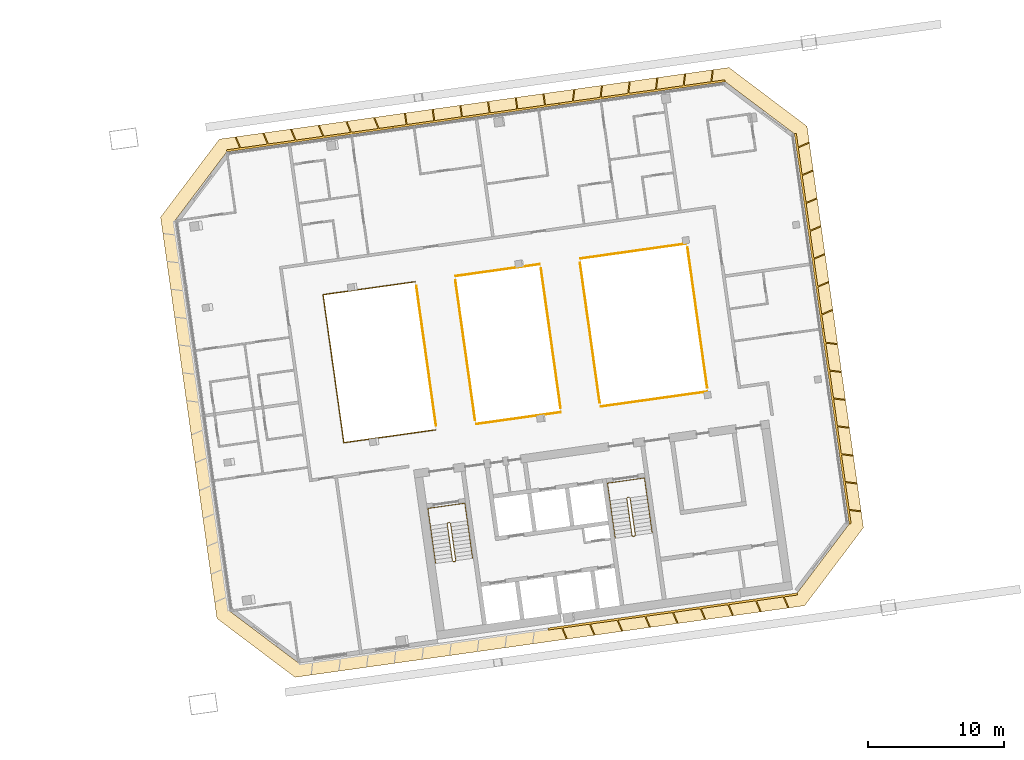
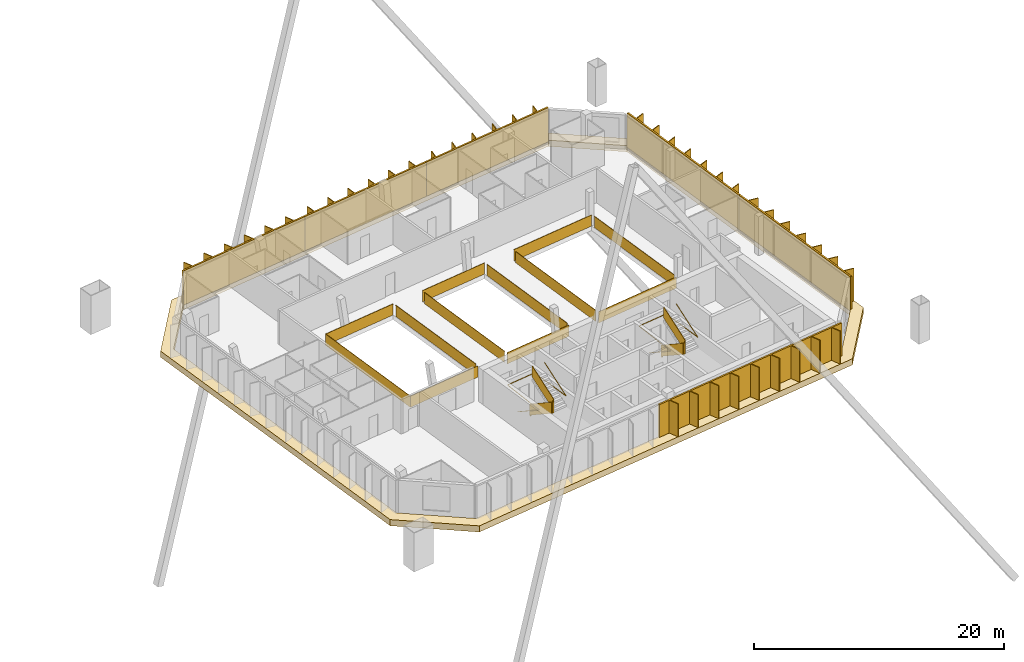
# One storey, part 28 of 28: 14 railings, 6 shading devices, 1 covering.
"""IFC4 building model written with IfcOpenShell, lengths in metres."""

from ifc_helpers import new_model, si_unit, direction, frame, origin, origin_2d, place, context, subcontext, project, spatial, polyline, rectangle, outline, extrude, material, layer, layer_set, type_object, element, save


model = new_model("IFC4")

# Units and contexts
model_context = context("Model", 3, precision=1e-05, world=origin(), true_north=direction((0.0, 1.0)))
body_context = subcontext(model_context, "Body", "Model", "MODEL_VIEW")
ifc_project = project(units=[si_unit("LENGTHUNIT", "METRE"), si_unit("AREAUNIT", "SQUARE_METRE"), si_unit("VOLUMEUNIT", "CUBIC_METRE"), si_unit("PLANEANGLEUNIT", "RADIAN"), si_unit("MASSUNIT", "GRAM", prefix="KILO")], contexts=[model_context])

# Site, building, storey
site_placement = place(None, origin())
site = spatial("IfcSite", under=ifc_project, at=site_placement, CompositionType="ELEMENT")
building_placement = place(site_placement, origin())
building = spatial("IfcBuilding", under=site, at=building_placement, Name="Mirante Cascada Hotel Towers", CompositionType="ELEMENT")
storey_placement = place(building_placement, frame((0.0, 0.0, 243.2)))
storey = spatial("IfcBuildingStorey", under=building, at=storey_placement, Name="L58", CompositionType="ELEMENT", Elevation=243.2)

# Railings
ifc_material_1 = material(Name="Toughened glass with stainless steel handrail", Category="steel")
railing_type_1 = type_object("IfcRailingType", Name="Atrium guard 1100 glass balustrade", PredefinedType="GUARDRAIL", material=ifc_material_1)
railing_1_placement = place(storey_placement, frame((35.7194, 6.4785, 0.0)))
element("IfcRailing", 1, at=railing_1_placement, inside=storey, type_object=railing_type_1, Name="GUARD 2-L58-1", PredefinedType="GUARDRAIL", context=body_context, shape_type="SweptSolid", body=[
    extrude(rectangle(XDim=0.048, YDim=0.048, at=origin_2d()), frame((0.0, 0.0, 1.076), z_axis=(-0.9902672, -0.1391789, 0.0), x_axis=(0.1391789, -0.9902672, 0.0)), (0.0, 0.0, 1.0), 6.8437),
    extrude(rectangle(XDim=0.02, YDim=1.052, at=origin_2d()), frame((0.0, 0.0, 0.526), z_axis=(-0.9902672, -0.1391789, 0.0), x_axis=(0.1391789, -0.9902672, 0.0)), (0.0, 0.0, 1.0), 6.8437),
    extrude(rectangle(XDim=0.048, YDim=0.048, at=origin_2d()), frame((-6.7771, -0.9525, 1.076), z_axis=(0.1391733, -0.990268, 0.0), x_axis=(0.990268, 0.1391733, 0.0)), (0.0, 0.0, 1.0), 11.0),
    extrude(rectangle(XDim=0.02, YDim=1.052, at=origin_2d()), frame((-6.7771, -0.9525, 0.526), z_axis=(0.1391733, -0.990268, 0.0), x_axis=(0.990268, 0.1391733, 0.0)), (0.0, 0.0, 1.0), 11.0),
    extrude(rectangle(XDim=0.048, YDim=0.048, at=origin_2d()), frame((-5.2462, -11.8454, 1.076), z_axis=(0.9902693, 0.1391646, 0.0), x_axis=(-0.1391646, 0.9902693, 0.0)), (0.0, 0.0, 1.0), 6.8437),
    extrude(rectangle(XDim=0.02, YDim=1.052, at=origin_2d()), frame((-5.2462, -11.8454, 0.526), z_axis=(0.9902693, 0.1391646, 0.0), x_axis=(-0.1391646, 0.9902693, 0.0)), (0.0, 0.0, 1.0), 6.8437),
])
railing_2_placement = place(storey_placement, frame((40.2211, -3.9969, 0.0)))
element("IfcRailing", 2, at=railing_2_placement, inside=storey, type_object=railing_type_1, Name="GUARD 2-L58-2", PredefinedType="GUARDRAIL", context=body_context, shape_type="SweptSolid", body=[
    extrude(rectangle(XDim=0.048, YDim=0.048, at=origin_2d()), frame((0.0, 0.0, 1.076), z_axis=(0.9902698, 0.1391609, 0.0), x_axis=(-0.1391609, 0.9902698, 0.0)), (0.0, 0.0, 1.0), 6.2625),
    extrude(rectangle(XDim=0.02, YDim=1.052, at=origin_2d()), frame((0.0, 0.0, 0.526), z_axis=(0.9902698, 0.1391609, 0.0), x_axis=(-0.1391609, 0.9902698, 0.0)), (0.0, 0.0, 1.0), 6.2625),
    extrude(rectangle(XDim=0.048, YDim=0.048, at=origin_2d()), frame((6.2016, 0.8715, 1.076), z_axis=(-1.0, 0.0, 0.0), x_axis=(0.0, -1.0, 0.0)), (0.0, 0.0, 1.0), 0.0001),
    extrude(rectangle(XDim=0.02, YDim=1.052, at=origin_2d()), frame((6.2016, 0.8715, 0.526), z_axis=(-1.0, 0.0, 0.0), x_axis=(0.0, -1.0, 0.0)), (0.0, 0.0, 1.0), 0.0001),
])
railing_3_placement = place(storey_placement, frame((44.8917, 7.7676, 0.0)))
element("IfcRailing", 3, at=railing_3_placement, inside=storey, type_object=railing_type_1, Name="GUARD 2-L58-3", PredefinedType="GUARDRAIL", context=body_context, shape_type="SweptSolid", body=[
    extrude(rectangle(XDim=0.048, YDim=0.048, at=origin_2d()), frame((0.0, 0.0, 1.076), z_axis=(1.0, 0.0, 0.0), x_axis=(0.0, 1.0, 0.0)), (0.0, 0.0, 1.0), 0.0001),
    extrude(rectangle(XDim=0.02, YDim=1.052, at=origin_2d()), frame((0.0, 0.0, 0.526), z_axis=(1.0, 0.0, 0.0), x_axis=(0.0, 1.0, 0.0)), (0.0, 0.0, 1.0), 0.0001),
    extrude(rectangle(XDim=0.048, YDim=0.048, at=origin_2d()), frame((0.0001, 0.0, 1.076), z_axis=(-0.9902676, -0.1391765, 0.0), x_axis=(0.1391765, -0.9902676, 0.0)), (0.0, 0.0, 1.0), 6.2625),
    extrude(rectangle(XDim=0.02, YDim=1.052, at=origin_2d()), frame((0.0001, 0.0, 0.526), z_axis=(-0.9902676, -0.1391765, 0.0), x_axis=(0.1391765, -0.9902676, 0.0)), (0.0, 0.0, 1.0), 6.2625),
])
railing_4_placement = place(storey_placement, frame((49.3935, -2.7078, 0.0)))
element("IfcRailing", 4, at=railing_4_placement, inside=storey, type_object=railing_type_1, Name="GUARD 2-L58-4", PredefinedType="GUARDRAIL", context=body_context, shape_type="SweptSolid", body=[
    extrude(rectangle(XDim=0.048, YDim=0.048, at=origin_2d()), frame((0.0, 0.0, 1.076), z_axis=(0.990268, 0.1391739, 0.0), x_axis=(-0.1391739, 0.990268, 0.0)), (0.0, 0.0, 1.0), 7.8937),
    extrude(rectangle(XDim=0.02, YDim=1.052, at=origin_2d()), frame((0.0, 0.0, 0.526), z_axis=(0.990268, 0.1391739, 0.0), x_axis=(-0.1391739, 0.990268, 0.0)), (0.0, 0.0, 1.0), 7.8937),
    extrude(rectangle(XDim=0.048, YDim=0.048, at=origin_2d()), frame((7.8169, 1.0986, 1.076), z_axis=(-0.9902369, -0.1393949, 0.0), x_axis=(0.1393949, -0.9902369, 0.0)), (0.0, 0.0, 1.0), 0.1313),
    extrude(rectangle(XDim=0.02, YDim=1.052, at=origin_2d()), frame((7.8169, 1.0986, 0.526), z_axis=(-0.9902369, -0.1393949, 0.0), x_axis=(0.1393949, -0.9902369, 0.0)), (0.0, 0.0, 1.0), 0.1313),
])
railing_5_placement = place(storey_placement, frame((55.5495, 9.2654, 0.0)))
element("IfcRailing", 5, at=railing_5_placement, inside=storey, type_object=railing_type_1, Name="GUARD 2-L58-5", PredefinedType="GUARDRAIL", context=body_context, shape_type="SweptSolid", body=[
    extrude(rectangle(XDim=0.048, YDim=0.048, at=origin_2d()), frame((0.0, 0.0, 1.076), z_axis=(0.9902369, 0.1393949, 0.0), x_axis=(-0.1393949, 0.9902369, 0.0)), (0.0, 0.0, 1.0), 0.1313),
    extrude(rectangle(XDim=0.02, YDim=1.052, at=origin_2d()), frame((0.0, 0.0, 0.526), z_axis=(0.9902369, 0.1393949, 0.0), x_axis=(-0.1393949, 0.9902369, 0.0)), (0.0, 0.0, 1.0), 0.1313),
    extrude(rectangle(XDim=0.048, YDim=0.048, at=origin_2d()), frame((0.13, 0.0183, 1.076), z_axis=(-0.990268, -0.1391739, 0.0), x_axis=(0.1391739, -0.990268, 0.0)), (0.0, 0.0, 1.0), 7.8937),
    extrude(rectangle(XDim=0.02, YDim=1.052, at=origin_2d()), frame((0.13, 0.0183, 0.526), z_axis=(-0.990268, -0.1391739, 0.0), x_axis=(0.1391739, -0.990268, 0.0)), (0.0, 0.0, 1.0), 7.8937),
])
railing_6_placement = place(storey_placement, frame((37.2577, -4.1149, 0.0)))
element("IfcRailing", 6, at=railing_6_placement, inside=storey, type_object=railing_type_1, Name="GUARD 2-L58-6", PredefinedType="GUARDRAIL", context=body_context, shape_type="SweptSolid", body=[
    extrude(rectangle(XDim=0.048, YDim=0.048, at=origin_2d()), frame((0.0, 0.0, 1.076), z_axis=(-0.1391721, 0.9902682, 0.0), x_axis=(-0.9902682, -0.1391721, 0.0)), (0.0, 0.0, 1.0), 10.4087),
    extrude(rectangle(XDim=0.02, YDim=1.052, at=origin_2d()), frame((0.0, 0.0, 0.526), z_axis=(-0.1391721, 0.9902682, 0.0), x_axis=(-0.9902682, -0.1391721, 0.0)), (0.0, 0.0, 1.0), 10.4087),
])
railing_7_placement = place(storey_placement, frame((38.6828, 6.5964, 0.0)))
element("IfcRailing", 7, at=railing_7_placement, inside=storey, type_object=railing_type_1, Name="GUARD 2-L58-7", PredefinedType="GUARDRAIL", context=body_context, shape_type="SweptSolid", body=[
    extrude(rectangle(XDim=0.048, YDim=0.048, at=origin_2d()), frame((0.0, 0.0, 1.076), z_axis=(0.1391721, -0.9902682, 0.0), x_axis=(0.9902682, 0.1391721, 0.0)), (0.0, 0.0, 1.0), 10.4087),
    extrude(rectangle(XDim=0.02, YDim=1.052, at=origin_2d()), frame((0.0, 0.0, 0.526), z_axis=(0.1391721, -0.9902682, 0.0), x_axis=(0.9902682, 0.1391721, 0.0)), (0.0, 0.0, 1.0), 10.4087),
])
railing_8_placement = place(storey_placement, frame((46.4301, -2.8258, 0.0)))
element("IfcRailing", 8, at=railing_8_placement, inside=storey, type_object=railing_type_1, Name="GUARD 2-L58-8", PredefinedType="GUARDRAIL", context=body_context, shape_type="SweptSolid", body=[
    extrude(rectangle(XDim=0.048, YDim=0.048, at=origin_2d()), frame((0.0, 0.0, 1.076), z_axis=(-0.1391721, 0.9902682, 0.0), x_axis=(-0.9902682, -0.1391721, 0.0)), (0.0, 0.0, 1.0), 10.4087),
    extrude(rectangle(XDim=0.02, YDim=1.052, at=origin_2d()), frame((0.0, 0.0, 0.526), z_axis=(-0.1391721, 0.9902682, 0.0), x_axis=(-0.9902682, -0.1391721, 0.0)), (0.0, 0.0, 1.0), 10.4087),
])
railing_9_placement = place(storey_placement, frame((47.8552, 7.8855, 0.0)))
element("IfcRailing", 9, at=railing_9_placement, inside=storey, type_object=railing_type_1, Name="GUARD 2-L58-9", PredefinedType="GUARDRAIL", context=body_context, shape_type="SweptSolid", body=[
    extrude(rectangle(XDim=0.048, YDim=0.048, at=origin_2d()), frame((0.0, 0.0, 1.076), z_axis=(0.1391721, -0.9902682, 0.0), x_axis=(0.9902682, 0.1391721, 0.0)), (0.0, 0.0, 1.0), 10.4087),
    extrude(rectangle(XDim=0.02, YDim=1.052, at=origin_2d()), frame((0.0, 0.0, 0.526), z_axis=(0.1391721, -0.9902682, 0.0), x_axis=(0.9902682, 0.1391721, 0.0)), (0.0, 0.0, 1.0), 10.4087),
])
railing_10_placement = place(storey_placement, frame((57.2188, -1.3097, 0.0)))
element("IfcRailing", 10, at=railing_10_placement, inside=storey, type_object=railing_type_1, Name="GUARD 2-L58-10", PredefinedType="GUARDRAIL", context=body_context, shape_type="SweptSolid", body=[
    extrude(rectangle(XDim=0.048, YDim=0.048, at=origin_2d()), frame((0.0, 0.0, 1.076), z_axis=(-0.1391776, 0.9902674, 0.0), x_axis=(-0.9902674, -0.1391776, 0.0)), (0.0, 0.0, 1.0), 10.409),
    extrude(rectangle(XDim=0.02, YDim=1.052, at=origin_2d()), frame((0.0, 0.0, 0.526), z_axis=(-0.1391776, 0.9902674, 0.0), x_axis=(-0.9902674, -0.1391776, 0.0)), (0.0, 0.0, 1.0), 10.409),
])

# Covering
ifc_material_2 = material(Name="Precast concrete C40/50 white", Category="concrete")
ifc_layer = layer(ifc_material_2, 0.6)
ifc_layer_set = layer_set([ifc_layer], Name="Precast concrete SUNSHADE band 1000x600")
covering_type = type_object("IfcCoveringType", Name="Precast concrete SUNSHADE band 1000x600", PredefinedType="CLADDING", material=ifc_layer_set)
covering_placement = place(storey_placement, frame((0.0, 0.0, -0.45)))
element("IfcCovering", 11, at=covering_placement, inside=storey, type_object=covering_type, Name="Precast concrete SUNSHADE band T2 L58", PredefinedType="CLADDING", context=body_context, shape_type="SweptSolid", body=[
    extrude(outline(polyline([(16.9818, 11.2312), (21.3103, 16.9753), (58.8202, 22.247), (64.5643, 17.9185), (68.7156, -11.6197), (64.3871, -17.3638), (26.8772, -22.6354), (21.1331, -18.3069), (16.9818, 11.2312)]), holes=[polyline([(67.6677, -11.3487), (63.6316, 17.3691), (58.5492, 21.199), (21.8597, 16.0427), (18.0297, 10.9602), (22.0658, -17.7576), (27.1482, -21.5875), (63.8377, -16.4311), (67.6677, -11.3487)])]), origin(), (0.0, 0.0, 1.0), 0.6),
])

# Railings
ifc_material_3 = material(Name="Painted steel", Category="steel")
railing_type_2 = type_object("IfcRailingType", Name="Stair guard 1100 steel balustrade", PredefinedType="GUARDRAIL", material=ifc_material_3)
railing_11_placement = place(storey_placement, frame((38.2663, -11.2395, 0.0)))
element("IfcRailing", 12, at=railing_11_placement, inside=storey, type_object=railing_type_2, Name="L58 ST2-A stair guard 1", PredefinedType="GUARDRAIL", context=body_context, shape_type="SweptSolid", body=[
    extrude(rectangle(XDim=0.048, YDim=0.048, at=origin_2d()), frame((0.0, 0.0, 1.076), z_axis=(-0.9903326, -0.1387133, 0.0), x_axis=(0.1387133, -0.9903326, 0.0)), (0.0, 0.0, 1.0), 0.1499),
    extrude(rectangle(XDim=0.02, YDim=1.052, at=origin_2d()), frame((0.0, 0.0, 0.526), z_axis=(-0.9903326, -0.1387133, 0.0), x_axis=(0.1387133, -0.9903326, 0.0)), (0.0, 0.0, 1.0), 0.1499),
    extrude(rectangle(XDim=0.048, YDim=0.048, at=origin_2d()), frame((-0.1485, -0.0208, 1.076), z_axis=(-0.6020331, -0.7984711, 0.0), x_axis=(0.7984711, -0.6020331, 0.0)), (0.0, 0.9253398, 0.3791387), 0.1866),
    extrude(rectangle(XDim=0.02, YDim=1.052, at=origin_2d()), frame((-0.1485, -0.0208, 0.526), z_axis=(-0.6020331, -0.7984711, 0.0), x_axis=(0.7984711, -0.6020331, 0.0)), (0.0, 0.9253398, 0.3791387), 0.1866),
    extrude(rectangle(XDim=0.048, YDim=0.048, at=origin_2d()), frame((-0.1911, -0.0773, 1.2487), z_axis=(0.139176, -0.9902677, 0.0), x_axis=(0.9902677, 0.139176, 0.0)), (0.0, 0.5250212, 0.8510891), 3.29),
    extrude(rectangle(XDim=0.02, YDim=1.052, at=origin_2d()), frame((-0.1911, -0.0773, 0.6987), z_axis=(0.139176, -0.9902677, 0.0), x_axis=(0.9902677, 0.139176, 0.0)), (0.0, 0.5250212, 0.8510891), 3.29),
    extrude(rectangle(XDim=0.048, YDim=0.048, at=origin_2d()), frame((0.1986, -2.8501, 2.976), z_axis=(0.9944948, -0.1047858, 0.0), x_axis=(0.1047858, 0.9944948, 0.0)), (0.0, 0.0, 1.0), 0.2061),
    extrude(rectangle(XDim=0.02, YDim=1.052, at=origin_2d()), frame((0.1986, -2.8501, 2.426), z_axis=(0.9944948, -0.1047858, 0.0), x_axis=(0.1047858, 0.9944948, 0.0)), (0.0, 0.0, 1.0), 0.2061),
    extrude(rectangle(XDim=0.048, YDim=0.048, at=origin_2d()), frame((0.4036, -2.8717, 2.976), z_axis=(-0.9902408, -0.1393672, 0.0), x_axis=(0.1393672, -0.9902408, 0.0)), (0.0, 0.0, 1.0), 0.15),
    extrude(rectangle(XDim=0.02, YDim=1.052, at=origin_2d()), frame((0.4036, -2.8717, 2.426), z_axis=(-0.9902408, -0.1393672, 0.0), x_axis=(0.1393672, -0.9902408, 0.0)), (0.0, 0.0, 1.0), 0.15),
    extrude(rectangle(XDim=0.048, YDim=0.048, at=origin_2d()), frame((0.2551, -2.8926, 2.976), z_axis=(0.9270311, 0.3749843, 0.0), x_axis=(-0.3749843, 0.9270311, 0.0)), (0.0, 0.6421903, 0.7665452), 0.2689),
    extrude(rectangle(XDim=0.02, YDim=1.052, at=origin_2d()), frame((0.2551, -2.8926, 2.426), z_axis=(0.9270311, 0.3749843, 0.0), x_axis=(-0.3749843, 0.9270311, 0.0)), (0.0, 0.6421903, 0.7665452), 0.2689),
    extrude(rectangle(XDim=0.048, YDim=0.048, at=origin_2d()), frame((0.4462, -2.8153, 3.1487), z_axis=(-0.139176, 0.9902677, 0.0), x_axis=(-0.9902677, -0.139176, 0.0)), (0.0, 0.5250212, 0.8510891), 3.29),
    extrude(rectangle(XDim=0.02, YDim=1.052, at=origin_2d()), frame((0.4462, -2.8153, 2.5987), z_axis=(-0.139176, 0.9902677, 0.0), x_axis=(-0.9902677, -0.139176, 0.0)), (0.0, 0.5250212, 0.8510891), 3.29),
])
railing_12_placement = place(storey_placement, frame((51.4864, -9.3815, 0.0)))
element("IfcRailing", 13, at=railing_12_placement, inside=storey, type_object=railing_type_2, Name="L58 ST2-B stair guard 1", PredefinedType="GUARDRAIL", context=body_context, shape_type="SweptSolid", body=[
    extrude(rectangle(XDim=0.048, YDim=0.048, at=origin_2d()), frame((0.0, 0.0, 1.076), z_axis=(-0.9902408, -0.1393672, 0.0), x_axis=(0.1393672, -0.9902408, 0.0)), (0.0, 0.0, 1.0), 0.15),
    extrude(rectangle(XDim=0.02, YDim=1.052, at=origin_2d()), frame((0.0, 0.0, 0.526), z_axis=(-0.9902408, -0.1393672, 0.0), x_axis=(0.1393672, -0.9902408, 0.0)), (0.0, 0.0, 1.0), 0.15),
    extrude(rectangle(XDim=0.048, YDim=0.048, at=origin_2d()), frame((-0.1485, -0.0209, 1.076), z_axis=(-0.6020331, -0.7984711, 0.0), x_axis=(0.7984711, -0.6020331, 0.0)), (0.0, 0.9253398, 0.3791387), 0.1866),
    extrude(rectangle(XDim=0.02, YDim=1.052, at=origin_2d()), frame((-0.1485, -0.0209, 0.526), z_axis=(-0.6020331, -0.7984711, 0.0), x_axis=(0.7984711, -0.6020331, 0.0)), (0.0, 0.9253398, 0.3791387), 0.1866),
    extrude(rectangle(XDim=0.048, YDim=0.048, at=origin_2d()), frame((-0.1911, -0.0774, 1.2487), z_axis=(0.139181, -0.990267, 0.0), x_axis=(0.990267, 0.139181, 0.0)), (0.0, 0.5250347, 0.8510808), 3.2899),
    extrude(rectangle(XDim=0.02, YDim=1.052, at=origin_2d()), frame((-0.1911, -0.0774, 0.6987), z_axis=(0.139181, -0.990267, 0.0), x_axis=(0.990267, 0.139181, 0.0)), (0.0, 0.5250347, 0.8510808), 3.2899),
    extrude(rectangle(XDim=0.048, YDim=0.048, at=origin_2d()), frame((0.1986, -2.8501, 2.976), z_axis=(0.9944441, -0.1052656, 0.0), x_axis=(0.1052656, 0.9944441, 0.0)), (0.0, 0.0, 1.0), 0.2061),
    extrude(rectangle(XDim=0.02, YDim=1.052, at=origin_2d()), frame((0.1986, -2.8501, 2.426), z_axis=(0.9944441, -0.1052656, 0.0), x_axis=(0.1052656, 0.9944441, 0.0)), (0.0, 0.0, 1.0), 0.2061),
    extrude(rectangle(XDim=0.048, YDim=0.048, at=origin_2d()), frame((0.4036, -2.8718, 2.976), z_axis=(-0.9902408, -0.1393672, 0.0), x_axis=(0.1393672, -0.9902408, 0.0)), (0.0, 0.0, 1.0), 0.15),
    extrude(rectangle(XDim=0.02, YDim=1.052, at=origin_2d()), frame((0.4036, -2.8718, 2.426), z_axis=(-0.9902408, -0.1393672, 0.0), x_axis=(0.1393672, -0.9902408, 0.0)), (0.0, 0.0, 1.0), 0.15),
    extrude(rectangle(XDim=0.048, YDim=0.048, at=origin_2d()), frame((0.2551, -2.8927, 2.976), z_axis=(0.9268624, 0.3754011, 0.0), x_axis=(-0.3754011, 0.9268624, 0.0)), (0.0, 0.6421217, 0.7666028), 0.269),
    extrude(rectangle(XDim=0.02, YDim=1.052, at=origin_2d()), frame((0.2551, -2.8927, 2.426), z_axis=(0.9268624, 0.3754011, 0.0), x_axis=(-0.3754011, 0.9268624, 0.0)), (0.0, 0.6421217, 0.7666028), 0.269),
    extrude(rectangle(XDim=0.048, YDim=0.048, at=origin_2d()), frame((0.4462, -2.8153, 3.1487), z_axis=(-0.139181, 0.990267, 0.0), x_axis=(-0.990267, -0.139181, 0.0)), (0.0, 0.5250347, 0.8510808), 3.2899),
    extrude(rectangle(XDim=0.02, YDim=1.052, at=origin_2d()), frame((0.4462, -2.8153, 2.5987), z_axis=(-0.139181, 0.990267, 0.0), x_axis=(-0.990267, -0.139181, 0.0)), (0.0, 0.5250347, 0.8510808), 3.2899),
])
ifc_material_4 = material(Name="Painted steel", Category="steel")
railing_type_3 = type_object("IfcRailingType", Name="Stair handrail 900 steel tube", PredefinedType="HANDRAIL", material=ifc_material_4)
railing_13_placement = place(storey_placement, frame((36.8374, -11.4908, 0.1727)))
element("IfcRailing", 14, at=railing_13_placement, inside=storey, type_object=railing_type_3, Name="L58 ST2-A stair handrail 1", PredefinedType="HANDRAIL", context=body_context, shape_type="SweptSolid", body=[
    extrude(rectangle(XDim=0.048, YDim=0.048, at=origin_2d()), frame((0.0, 0.0, 0.876), z_axis=(0.139181, -0.990267, 0.0), x_axis=(0.990267, 0.139181, 0.0)), (0.0, 0.5250347, 0.8510808), 3.2899),
    extrude(rectangle(XDim=0.048, YDim=0.048, at=origin_2d()), frame((0.3897, -2.7727, 2.6033), z_axis=(-0.1391707, 0.9902684, 0.0), x_axis=(-0.9902684, -0.1391707, 0.0)), (0.0, 0.0420846, 0.999114), 4.1036),
    extrude(rectangle(XDim=0.048, YDim=0.048, at=origin_2d()), frame((-0.1809, 1.2874, 2.776), z_axis=(0.9902691, 0.1391657, 0.0), x_axis=(-0.1391657, 0.9902691, 0.0)), (0.0, 0.0, 1.0), 2.75),
    extrude(rectangle(XDim=0.048, YDim=0.048, at=origin_2d()), frame((2.5423, 1.6701, 2.776), z_axis=(0.1391707, -0.9902684, 0.0), x_axis=(0.9902684, 0.1391707, 0.0)), (0.0, 0.0, 1.0), 4.1),
    extrude(rectangle(XDim=0.048, YDim=0.048, at=origin_2d()), frame((3.1129, -2.39, 2.776), z_axis=(-0.139181, 0.990267, 0.0), x_axis=(-0.990267, -0.139181, 0.0)), (0.0, 0.5250347, 0.8510808), 3.2899),
])
railing_14_placement = place(storey_placement, frame((50.0575, -9.6328, 0.1727)))
element("IfcRailing", 15, at=railing_14_placement, inside=storey, type_object=railing_type_3, Name="L58 ST2-B stair handrail 1", PredefinedType="HANDRAIL", context=body_context, shape_type="SweptSolid", body=[
    extrude(rectangle(XDim=0.048, YDim=0.048, at=origin_2d()), frame((0.0, 0.0, 0.876), z_axis=(0.139176, -0.9902677, 0.0), x_axis=(0.9902677, 0.139176, 0.0)), (0.0, 0.5250212, 0.8510891), 3.29),
    extrude(rectangle(XDim=0.048, YDim=0.048, at=origin_2d()), frame((0.3897, -2.7728, 2.6033), z_axis=(-0.1391707, 0.9902684, 0.0), x_axis=(-0.9902684, -0.1391707, 0.0)), (0.0, 0.0420846, 0.999114), 4.1036),
    extrude(rectangle(XDim=0.048, YDim=0.048, at=origin_2d()), frame((-0.1809, 1.2873, 2.776), z_axis=(0.9902641, 0.1392013, 0.0), x_axis=(-0.1392013, 0.9902641, 0.0)), (0.0, 0.0, 1.0), 2.75),
    extrude(rectangle(XDim=0.048, YDim=0.048, at=origin_2d()), frame((2.5423, 1.6701, 2.776), z_axis=(0.1391707, -0.9902684, 0.0), x_axis=(0.9902684, 0.1391707, 0.0)), (0.0, 0.0, 1.0), 4.1),
    extrude(rectangle(XDim=0.048, YDim=0.048, at=origin_2d()), frame((3.1129, -2.39, 2.776), z_axis=(-0.139181, 0.990267, 0.0), x_axis=(-0.990267, -0.139181, 0.0)), (0.0, 0.5250347, 0.8510808), 3.2899),
])

# Shading devices
ifc_material_5 = material(Name="White precast concrete C50/60 fin", Category="concrete")
shading_device_type = type_object("IfcShadingDeviceType", Name="Vertical fin set 4500x900", PredefinedType="USERDEFINED", material=ifc_material_5)
shading_device_1_placement = place(storey_placement, origin())
element("IfcShadingDevice", 16, at=shading_device_1_placement, inside=storey, type_object=shading_device_type, Name="FIN T2 L58 front 1", ObjectType="FIN", PredefinedType="USERDEFINED", context=body_context, shape_type="SweptSolid", body=[
    extrude(outline(polyline([(47.4739, 20.6109), (47.3719, 19.7797), (49.3282, 20.0546), (49.4328, 20.9071), (49.5122, 20.8974), (49.4102, 20.0661), (51.3665, 20.3411), (51.4711, 21.1936), (51.5506, 21.1839), (51.4485, 20.3526), (53.4048, 20.6275), (53.5095, 21.4801), (53.5889, 21.4703), (53.4868, 20.6391), (55.4431, 20.914), (55.5478, 21.7665), (55.6272, 21.7568), (55.5251, 20.9255), (57.4814, 21.2005), (57.5861, 22.053), (57.6655, 22.0433), (57.5634, 21.212), (58.5283, 21.3476), (58.5492, 21.199), (46.3193, 19.4803), (46.2984, 19.6288), (47.2899, 19.7681), (47.3945, 20.6207), (47.4739, 20.6109)])), origin(), (0.0, 0.0, 1.0), 3.35),
])
shading_device_2_placement = place(storey_placement, origin())
element("IfcShadingDevice", 17, at=shading_device_2_placement, inside=storey, type_object=shading_device_type, Name="FIN T2 L58 front 2", ObjectType="FIN", PredefinedType="USERDEFINED", context=body_context, shape_type="SweptSolid", body=[
    extrude(outline(polyline([(35.0091, 18.9005), (35.1274, 18.0588), (37.0865, 18.3341), (36.9682, 19.1759), (37.0474, 19.187), (37.1657, 18.3453), (39.1248, 18.6206), (39.0065, 19.4623), (39.0857, 19.4735), (39.204, 18.6317), (41.1631, 18.9071), (41.0448, 19.7488), (41.124, 19.7599), (41.2423, 18.9182), (43.2014, 19.1935), (43.0831, 20.0353), (43.1623, 20.0464), (43.2806, 19.2047), (45.2397, 19.48), (45.1214, 20.3217), (45.2006, 20.3329), (45.3189, 19.4911), (46.2984, 19.6288), (46.3193, 19.4803), (34.0895, 17.7615), (34.0686, 17.91), (35.0482, 18.0477), (34.9299, 18.8894), (35.0091, 18.9005)])), origin(), (0.0, 0.0, 1.0), 3.35),
])
shading_device_3_placement = place(storey_placement, origin())
element("IfcShadingDevice", 18, at=shading_device_3_placement, inside=storey, type_object=shading_device_type, Name="FIN T2 L58 front 3", ObjectType="FIN", PredefinedType="USERDEFINED", context=body_context, shape_type="SweptSolid", body=[
    extrude(outline(polyline([(22.5501, 17.129), (22.8857, 16.3383), (24.842, 16.6133), (24.5147, 17.3842), (24.5884, 17.4155), (24.924, 16.6248), (26.8803, 16.8997), (26.553, 17.6707), (26.6267, 17.7019), (26.9623, 16.9113), (28.9186, 17.1862), (28.5913, 17.9572), (28.665, 17.9884), (29.0006, 17.1977), (30.9569, 17.4727), (30.6296, 18.2436), (30.7033, 18.2749), (31.0389, 17.4842), (32.9952, 17.7591), (32.6679, 18.5301), (32.7416, 18.5613), (33.0772, 17.7707), (34.0686, 17.91), (34.0895, 17.7615), (21.8597, 16.0427), (21.8388, 16.1912), (22.8037, 16.3268), (22.4764, 17.0978), (22.5501, 17.129)])), origin(), (0.0, 0.0, 1.0), 3.35),
])
shading_device_4_placement = place(storey_placement, origin())
element("IfcShadingDevice", 19, at=shading_device_4_placement, inside=storey, type_object=shading_device_type, Name="FIN T2 L58 outer 1", ObjectType="FIN", PredefinedType="USERDEFINED", context=body_context, shape_type="SweptSolid", body=[
    extrude(outline(polyline([(68.511, -10.4585), (67.6797, -10.3564), (67.8162, -11.3278), (67.6677, -11.3487), (65.6497, 3.0102), (65.7982, 3.0311), (65.9384, 2.0332), (66.791, 1.9285), (66.7812, 1.8491), (65.95, 1.9512), (66.2267, -0.0181), (67.0793, -0.1227), (67.0695, -0.2021), (66.2382, -0.1001), (66.515, -2.0693), (67.3676, -2.174), (67.3578, -2.2534), (66.5265, -2.1513), (66.8033, -4.1206), (67.6558, -4.2253), (67.6461, -4.3047), (66.8148, -4.2026), (67.0916, -6.1719), (67.9441, -6.2765), (67.9344, -6.3559), (67.1031, -6.2539), (67.3799, -8.2231), (68.2324, -8.3278), (68.2227, -8.4072), (67.3914, -8.3052), (67.6682, -10.2744), (68.5207, -10.3791), (68.511, -10.4585)])), origin(), (0.0, 0.0, 1.0), 3.35),
])
shading_device_5_placement = place(storey_placement, origin())
element("IfcShadingDevice", 20, at=shading_device_5_placement, inside=storey, type_object=shading_device_type, Name="FIN T2 L58 outer 2", ObjectType="FIN", PredefinedType="USERDEFINED", context=body_context, shape_type="SweptSolid", body=[
    extrude(outline(polyline([(66.4486, 4.3646), (65.6579, 4.029), (65.7982, 3.0311), (65.6497, 3.0102), (63.6316, 17.3691), (63.7802, 17.39), (63.9167, 16.4186), (64.6876, 16.7459), (64.7189, 16.6722), (63.9282, 16.3366), (64.205, 14.3674), (64.9759, 14.6946), (65.0072, 14.621), (64.2165, 14.2853), (64.4933, 12.3161), (65.2642, 12.6433), (65.2955, 12.5697), (64.5048, 12.2341), (64.7816, 10.2648), (65.5525, 10.5921), (65.5838, 10.5184), (64.7931, 10.1828), (65.0698, 8.2136), (65.8408, 8.5408), (65.872, 8.4672), (65.0814, 8.1315), (65.3581, 6.1623), (66.1291, 6.4895), (66.1603, 6.4159), (65.3697, 6.0803), (65.6464, 4.111), (66.4174, 4.4383), (66.4486, 4.3646)])), origin(), (0.0, 0.0, 1.0), 3.35),
])
shading_device_6_placement = place(storey_placement, origin())
element("IfcShadingDevice", 21, at=shading_device_6_placement, inside=storey, type_object=shading_device_type, Name="FIN T2 L58 rear 2", ObjectType="FIN", PredefinedType="USERDEFINED", context=body_context, shape_type="SweptSolid", body=[
    extrude(outline(polyline([(46.8409, -19.8092), (46.5053, -19.0185), (45.5139, -19.1579), (45.493, -19.0093), (63.8377, -16.4311), (63.8586, -16.5797), (62.8937, -16.7153), (63.221, -17.4862), (63.1473, -17.5175), (62.8117, -16.7268), (60.8554, -17.0018), (61.1827, -17.7727), (61.109, -17.8039), (60.7734, -17.0133), (58.8171, -17.2882), (59.1444, -18.0592), (59.0707, -18.0904), (58.7351, -17.2997), (56.7788, -17.5747), (57.1061, -18.3456), (57.0324, -18.3769), (56.6968, -17.5862), (54.7405, -17.8611), (55.0678, -18.6321), (54.9941, -18.6633), (54.6585, -17.8727), (52.7022, -18.1476), (53.0294, -18.9186), (52.9558, -18.9498), (52.6202, -18.1591), (50.6639, -18.4341), (50.9911, -19.205), (50.9175, -19.2363), (50.5819, -18.4456), (48.6256, -18.7205), (48.9528, -19.4915), (48.8792, -19.5227), (48.5436, -18.7321), (46.5873, -19.007), (46.9145, -19.7779), (46.8409, -19.8092)])), origin(), (0.0, 0.0, 1.0), 3.35),
])

save(model, "model.ifc")
